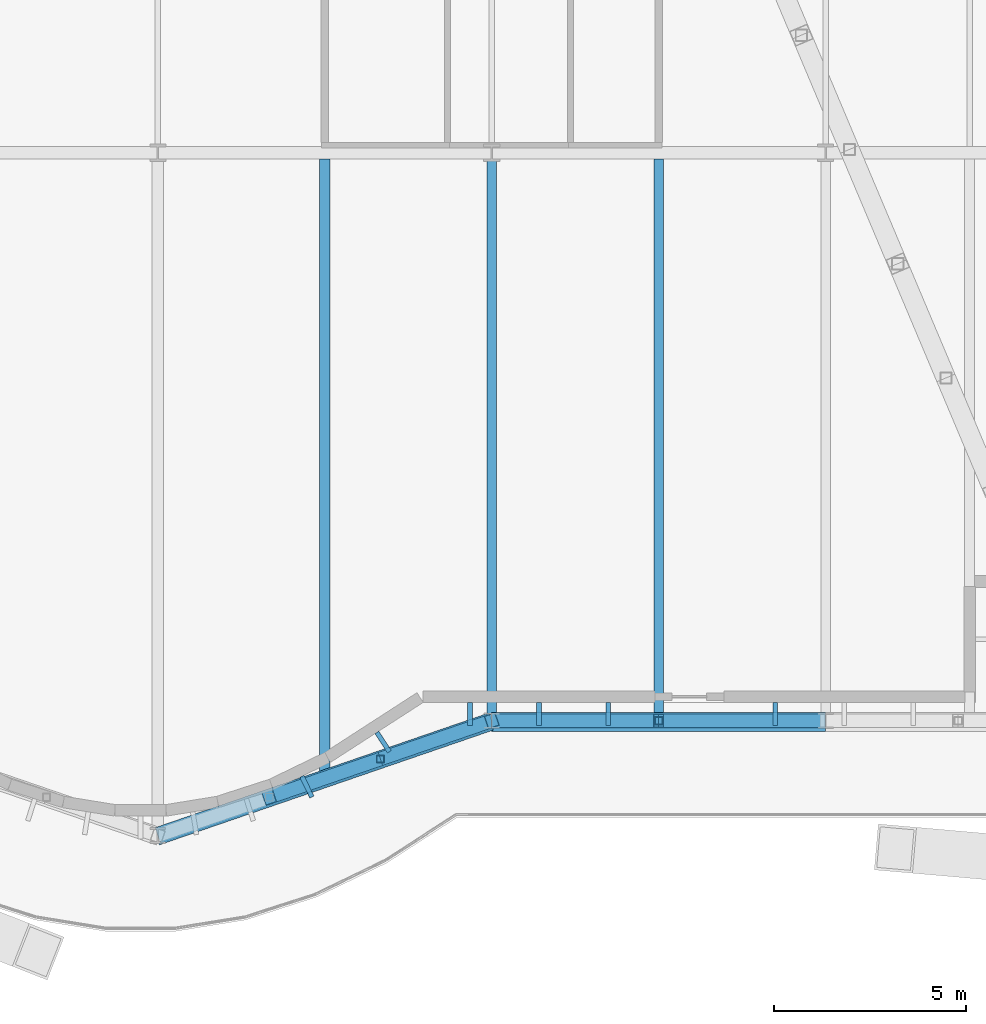
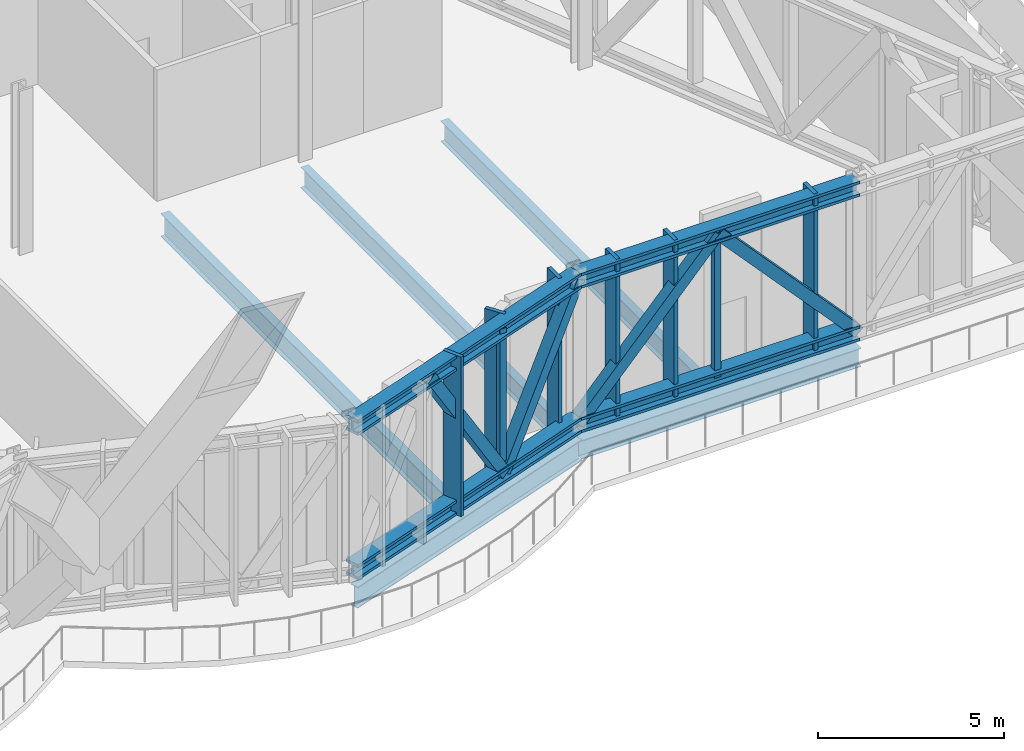
# One storey, part 12 of 32: 16 members, 5 beams, 1 element without a shape of its own.
"""IFC4 building model written with IfcOpenShell, lengths in metres."""

from ifc_helpers import new_model, si_unit, direction, frame, origin, origin_2d, place, context, subcontext, project, spatial, rectangle, hollow_rectangle, i_section, extrude, material, material_profile, profile_set, type_object, element, aggregate, save


model = new_model("IFC4")

# Units and contexts
model_context = context("Model", 3, precision=1e-05, world=origin(), true_north=direction((0.0, 1.0)))
body_context = subcontext(model_context, "Body", "Model", "MODEL_VIEW")
ifc_project = project(units=[si_unit("LENGTHUNIT", "METRE"), si_unit("AREAUNIT", "SQUARE_METRE"), si_unit("VOLUMEUNIT", "CUBIC_METRE"), si_unit("PLANEANGLEUNIT", "RADIAN"), si_unit("MASSUNIT", "GRAM", prefix="KILO")], contexts=[model_context])

# Site, building, storey
site_placement = place(None, origin())
site = spatial("IfcSite", under=ifc_project, at=site_placement, CompositionType="ELEMENT")
building_placement = place(site_placement, origin())
building = spatial("IfcBuilding", under=site, at=building_placement, Name="Bicima Exchange Tower", CompositionType="ELEMENT")
storey_placement = place(building_placement, frame((0.0, 0.0, 84.5)))
storey = spatial("IfcBuildingStorey", under=building, at=storey_placement, Name="L17", CompositionType="ELEMENT", Elevation=84.5)

# Curtain wall, members
ifc_material_1 = material(Name="Anodised bronze aluminium", Category="aluminium")
curtain_wall_type = type_object("IfcCurtainWallType", Name="Band blade screen", PredefinedType="NOTDEFINED", material=ifc_material_1)
curtain_wall_placement = place(storey_placement, origin())
curtain_wall = element("IfcCurtainWall", 1, at=curtain_wall_placement, inside=storey, type_object=curtain_wall_type, Name="Band blade screen L17", PredefinedType="NOTDEFINED")
ifc_material_profile_1 = material_profile(ifc_material_1, rectangle(XDim=0.60009765625, YDim=0.1201171875, at=origin_2d()))
ifc_profile_set_1 = profile_set([ifc_material_profile_1], Name="Anodised bronze aluminium")
member_type_1 = type_object("IfcMemberType", Name="Band blade fin 600 x 120", PredefinedType="USERDEFINED", material=ifc_profile_set_1)
member_1_placement = place(storey_placement, frame((12.583740234375, -38.510498046875, 0.0), z_axis=(0.0, 0.0, 1.0), x_axis=(-0.436286748784, 0.899807686584, 0.0)))
member_1 = element("IfcMember", 2, at=member_1_placement, type_object=member_type_1, Name="Band blade fin 53", ObjectType="FIN", PredefinedType="USERDEFINED", context=body_context, shape_type="SweptSolid", body=[
    extrude(rectangle(XDim=0.60009765625, YDim=0.1201171875, at=origin_2d()), origin(), (0.0, 0.0, 1.0), 5.25),
])
member_2_placement = place(storey_placement, frame((14.5703125, -37.348388671875, 0.0), z_axis=(0.0, 0.0, 1.0), x_axis=(-0.542916511621, 0.839786676132, 0.0)))
member_2 = element("IfcMember", 3, at=member_2_placement, type_object=member_type_1, Name="Band blade fin 54", ObjectType="FIN", PredefinedType="USERDEFINED", context=body_context, shape_type="SweptSolid", body=[
    extrude(rectangle(XDim=0.60009765625, YDim=0.1201171875, at=origin_2d()), origin(), (0.0, 0.0, 1.0), 5.25),
])
member_3_placement = place(storey_placement, frame((16.83251953125, -36.615966796875, 0.0), z_axis=(0.0, 0.0, 1.0), x_axis=(0.0, 1.0, 0.0)))
member_3 = element("IfcMember", 4, at=member_3_placement, type_object=member_type_1, Name="Band blade fin 55", ObjectType="FIN", PredefinedType="USERDEFINED", context=body_context, shape_type="SweptSolid", body=[
    extrude(rectangle(XDim=0.60009765625, YDim=0.1201171875, at=origin_2d()), origin(), (0.0, 0.0, 1.0), 5.25),
])
member_4_placement = place(storey_placement, frame((18.63232421875, -36.615966796875, 0.0), z_axis=(0.0, 0.0, 1.0), x_axis=(0.0, 1.0, 0.0)))
member_4 = element("IfcMember", 5, at=member_4_placement, type_object=member_type_1, Name="Band blade fin 56", ObjectType="FIN", PredefinedType="USERDEFINED", context=body_context, shape_type="SweptSolid", body=[
    extrude(rectangle(XDim=0.60009765625, YDim=0.1201171875, at=origin_2d()), origin(), (0.0, 0.0, 1.0), 5.25),
])
member_5_placement = place(storey_placement, frame((20.432373046875, -36.615966796875, 0.0), z_axis=(0.0, 0.0, 1.0), x_axis=(0.0, 1.0, 0.0)))
member_5 = element("IfcMember", 6, at=member_5_placement, type_object=member_type_1, Name="Band blade fin 57", ObjectType="FIN", PredefinedType="USERDEFINED", context=body_context, shape_type="SweptSolid", body=[
    extrude(rectangle(XDim=0.60009765625, YDim=0.1201171875, at=origin_2d()), origin(), (0.0, 0.0, 1.0), 5.25),
])
member_6_placement = place(storey_placement, frame((24.787109375, -36.615966796875, 0.0), z_axis=(0.0, 0.0, 1.0), x_axis=(0.0, 1.0, 0.0)))
member_6 = element("IfcMember", 7, at=member_6_placement, type_object=member_type_1, Name="Band blade fin 58", ObjectType="FIN", PredefinedType="USERDEFINED", context=body_context, shape_type="SweptSolid", body=[
    extrude(rectangle(XDim=0.60009765625, YDim=0.1201171875, at=origin_2d()), origin(), (0.0, 0.0, 1.0), 5.25),
])
aggregate(curtain_wall, [member_1, member_2, member_3, member_4, member_5, member_6])

# Members
ifc_material_2 = material(Name="Steel ASTM A992 Gr 50", Category="steel")
ifc_material_profile_2 = material_profile(ifc_material_2, i_section(OverallWidth=0.431884765625, OverallDepth=0.497802734375, WebThickness=0.0556640625, FlangeThickness=0.0888671875, at=origin_2d()))
ifc_profile_set_2 = profile_set([ifc_material_profile_2], Name="Steel ASTM A992 Gr 50")
member_type_2 = type_object("IfcMemberType", Name="Belt truss chord W14x500", PredefinedType="CHORD", material=ifc_profile_set_2)
for number, where, z_axis, x_axis, name in (
    (8, (8.699951171875, -39.78515625, 5.001220703125), (0.945666456746, 0.325138359143, 0.0), (-0.325138359143, 0.945666456746, 0.0), "Top chord"),
    (9, (8.699951171875, -39.78515625, 0.248779296875), (0.945666456746, 0.325138359143, 0.0), (-0.325138359143, 0.945666456746, 0.0), "Bottom chord"),
):
    element("IfcMember", number, at=place(storey_placement, frame(where, z_axis=z_axis, x_axis=x_axis)), inside=storey, type_object=member_type_2, Name=name, PredefinedType="CHORD", context=body_context, shape_type="SweptSolid", body=[
        extrude(i_section(OverallWidth=0.431884765625, OverallDepth=0.497802734375, WebThickness=0.0556640625, FlangeThickness=0.0888671875, at=origin_2d()), origin(), (0.0, 0.0, 1.0), 9.19970703125),
    ])
for number, where, z_axis, x_axis, name in (
    (10, (17.39990234375, -36.7939453125, 5.001220703125), (1.0, 0.0, 0.0), (0.0, 1.0, 0.0), "Top chord"),
    (11, (17.39990234375, -36.7939453125, 0.248779296875), (1.0, 0.0, 0.0), (0.0, 1.0, 0.0), "Bottom chord"),
):
    element("IfcMember", number, at=place(storey_placement, frame(where, z_axis=z_axis, x_axis=x_axis)), inside=storey, type_object=member_type_2, Name=name, PredefinedType="CHORD", context=body_context, shape_type="SweptSolid", body=[
        extrude(i_section(OverallWidth=0.431884765625, OverallDepth=0.497802734375, WebThickness=0.0556640625, FlangeThickness=0.0888671875, at=origin_2d()), origin(), (0.0, 0.0, 1.0), 8.7001953125),
    ])
ifc_material_3 = material(Name="Steel ASTM A572 Gr 50", Category="steel")
ifc_material_profile_3 = material_profile(ifc_material_3, hollow_rectangle(XDim=0.355712890625, YDim=0.355712890625, WallThickness=0.0146484375, at=origin_2d()))
ifc_profile_set_3 = profile_set([ifc_material_profile_3], Name="Steel ASTM A572 Gr 50")
member_type_3 = type_object("IfcMemberType", Name="Belt truss diagonal HSS14x14x5/8", PredefinedType="STRUT", material=ifc_profile_set_3)
for number, where, z_axis, x_axis, name in (
    (12, (11.60009765625, -38.7880859375, 5.001220703125), (0.5127210239, 0.176288319718, -0.840261614012), (-0.325146518908, 0.945663651222, 0.0), "Truss diagonal"),
    (13, (14.5, -37.791015625, 0.248779296875), (0.5127210239, 0.176288319718, 0.840261614012), (-0.325146518908, 0.945663651222, 0.0), "Truss diagonal"),
):
    element("IfcMember", number, at=place(storey_placement, frame(where, z_axis=z_axis, x_axis=x_axis)), inside=storey, type_object=member_type_3, Name=name, PredefinedType="STRUT", context=body_context, shape_type="SweptSolid", body=[
        extrude(hollow_rectangle(XDim=0.355712890625, YDim=0.355712890625, WallThickness=0.0146484375, at=origin_2d()), origin(), (0.0, 0.0, 1.0), 5.656005859375),
    ])
for number, where, z_axis, x_axis, name in (
    (14, (17.39990234375, -36.7939453125, 0.248779296875), (0.675192508812, 0.0, 0.737641563393), (0.0, 1.0, 0.0), "Truss diagonal"),
    (15, (21.75, -36.7939453125, 5.001220703125), (0.675192508812, 0.0, -0.737641563393), (0.0, 1.0, 0.0), "Truss diagonal"),
):
    element("IfcMember", number, at=place(storey_placement, frame(where, z_axis=z_axis, x_axis=x_axis)), inside=storey, type_object=member_type_3, Name=name, PredefinedType="STRUT", context=body_context, shape_type="SweptSolid", body=[
        extrude(hollow_rectangle(XDim=0.355712890625, YDim=0.355712890625, WallThickness=0.0146484375, at=origin_2d()), origin(), (0.0, 0.0, 1.0), 6.44287109375),
    ])
ifc_material_profile_4 = material_profile(ifc_material_3, hollow_rectangle(XDim=0.203125, YDim=0.203125, WallThickness=0.01171875, at=origin_2d()))
ifc_profile_set_4 = profile_set([ifc_material_profile_4], Name="Steel ASTM A572 Gr 50")
member_type_4 = type_object("IfcMemberType", Name="Belt truss post HSS8x8x1/2", PredefinedType="POST", material=ifc_profile_set_4)
for number, where, z_axis, x_axis, name in (
    (16, (14.5, -37.791015625, 0.248779296875), (0.0, 0.0, 1.0), (1.0, 0.0, 0.0), "Truss post"),
    (17, (21.75, -36.7939453125, 0.248779296875), (0.0, 0.0, 1.0), (1.0, 0.0, 0.0), "Truss post"),
):
    element("IfcMember", number, at=place(storey_placement, frame(where, z_axis=z_axis, x_axis=x_axis)), inside=storey, type_object=member_type_4, Name=name, PredefinedType="POST", context=body_context, shape_type="SweptSolid", body=[
        extrude(hollow_rectangle(XDim=0.203125, YDim=0.203125, WallThickness=0.01171875, at=origin_2d()), origin(), (0.0, 0.0, 1.0), 4.75244140625),
    ])

# Beams
ifc_material_profile_5 = material_profile(ifc_material_2, i_section(OverallWidth=0.25390625, OverallDepth=0.67822265625, WebThickness=0.01171875, FlangeThickness=0.016357421875, at=origin_2d()))
ifc_profile_set_5 = profile_set([ifc_material_profile_5], Name="Steel ASTM A992 Gr 50")
beam_type_1 = type_object("IfcBeamType", Name="Floor beam W27x84", PredefinedType="JOIST", material=ifc_profile_set_5)
beam_1_placement = place(storey_placement, frame((17.39990234375, -22.16259765625, -0.5390625), z_axis=(0.0, -1.0, 0.0), x_axis=(1.0, 0.0, 0.0)))
element("IfcBeam", 18, at=beam_1_placement, inside=storey, type_object=beam_type_1, Name="Floor beam", PredefinedType="JOIST", context=body_context, shape_type="SweptSolid", body=[
    extrude(i_section(OverallWidth=0.25390625, OverallDepth=0.67822265625, WebThickness=0.01171875, FlangeThickness=0.016357421875, at=origin_2d()), origin(), (0.0, 0.0, 1.0), 14.617919921875),
])
beam_2_placement = place(storey_placement, frame((21.75, -22.16259765625, -0.5390625), z_axis=(0.0, -1.0, 0.0), x_axis=(1.0, 0.0, 0.0)))
element("IfcBeam", 19, at=beam_2_placement, inside=storey, type_object=beam_type_1, Name="Floor beam", PredefinedType="JOIST", context=body_context, shape_type="SweptSolid", body=[
    extrude(i_section(OverallWidth=0.25390625, OverallDepth=0.67822265625, WebThickness=0.01171875, FlangeThickness=0.016357421875, at=origin_2d()), origin(), (0.0, 0.0, 1.0), 14.5908203125),
])
ifc_material_profile_6 = material_profile(ifc_material_2, i_section(OverallWidth=0.2666015625, OverallDepth=0.75439453125, WebThickness=0.01318359375, FlangeThickness=0.01708984375, at=origin_2d()))
ifc_profile_set_6 = profile_set([ifc_material_profile_6], Name="Steel ASTM A992 Gr 50")
beam_type_2 = type_object("IfcBeamType", Name="Floor beam W30x99", PredefinedType="JOIST", material=ifc_profile_set_6)
beam_3_placement = place(storey_placement, frame((13.050048828125, -22.16259765625, -0.5771484375), z_axis=(0.0, -1.0, 0.0), x_axis=(1.0, 0.0, 0.0)))
element("IfcBeam", 20, at=beam_3_placement, inside=storey, type_object=beam_type_2, Name="Floor beam", PredefinedType="JOIST", context=body_context, shape_type="SweptSolid", body=[
    extrude(i_section(OverallWidth=0.2666015625, OverallDepth=0.75439453125, WebThickness=0.01318359375, FlangeThickness=0.01708984375, at=origin_2d()), origin(), (0.0, 0.0, 1.0), 16.11328125),
])
ifc_material_profile_7 = material_profile(ifc_material_2, i_section(OverallWidth=0.3251953125, OverallDepth=0.612060546875, WebThickness=0.0126953125, FlangeThickness=0.01904296875, at=origin_2d()))
ifc_profile_set_7 = profile_set([ifc_material_profile_7], Name="Steel ASTM A992 Gr 50")
beam_type_3 = type_object("IfcBeamType", Name="Front girder W24x104", PredefinedType="BEAM", material=ifc_profile_set_7)
beam_4_placement = place(storey_placement, frame((17.39990234375, -36.916015625, -0.506103515625), z_axis=(1.0, 0.0, 0.0), x_axis=(0.0, 1.0, 0.0)))
element("IfcBeam", 21, at=beam_4_placement, inside=storey, type_object=beam_type_3, Name="Front girder", PredefinedType="BEAM", context=body_context, shape_type="SweptSolid", body=[
    extrude(i_section(OverallWidth=0.3251953125, OverallDepth=0.612060546875, WebThickness=0.0126953125, FlangeThickness=0.01904296875, at=origin_2d()), origin(), (0.0, 0.0, 1.0), 8.7001953125),
])
ifc_material_profile_8 = material_profile(ifc_material_2, i_section(OverallWidth=0.256591796875, OverallDepth=0.693359375, WebThickness=0.014404296875, FlangeThickness=0.023681640625, at=origin_2d()))
ifc_profile_set_8 = profile_set([ifc_material_profile_8], Name="Steel ASTM A992 Gr 50")
beam_type_4 = type_object("IfcBeamType", Name="Front girder W27x114", PredefinedType="BEAM", material=ifc_profile_set_8)
beam_5_placement = place(storey_placement, frame((8.699951171875, -39.906982421875, -0.546630859375), z_axis=(0.945674616091, 0.32511462668, 0.0), x_axis=(-0.32511462668, 0.945674616091, 0.0)))
element("IfcBeam", 22, at=beam_5_placement, inside=storey, type_object=beam_type_4, Name="Front girder", PredefinedType="BEAM", context=body_context, shape_type="SweptSolid", body=[
    extrude(i_section(OverallWidth=0.256591796875, OverallDepth=0.693359375, WebThickness=0.014404296875, FlangeThickness=0.023681640625, at=origin_2d()), origin(), (0.0, 0.0, 1.0), 9.19970703125),
])

save(model, "model.ifc")
